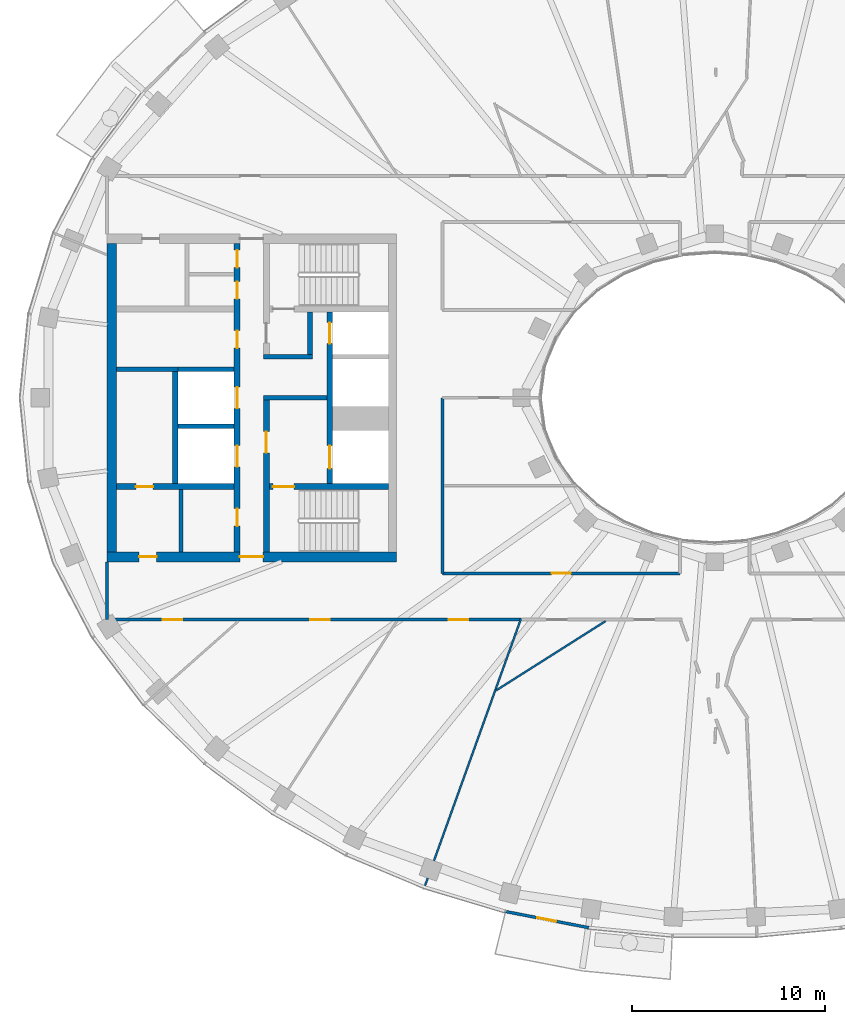
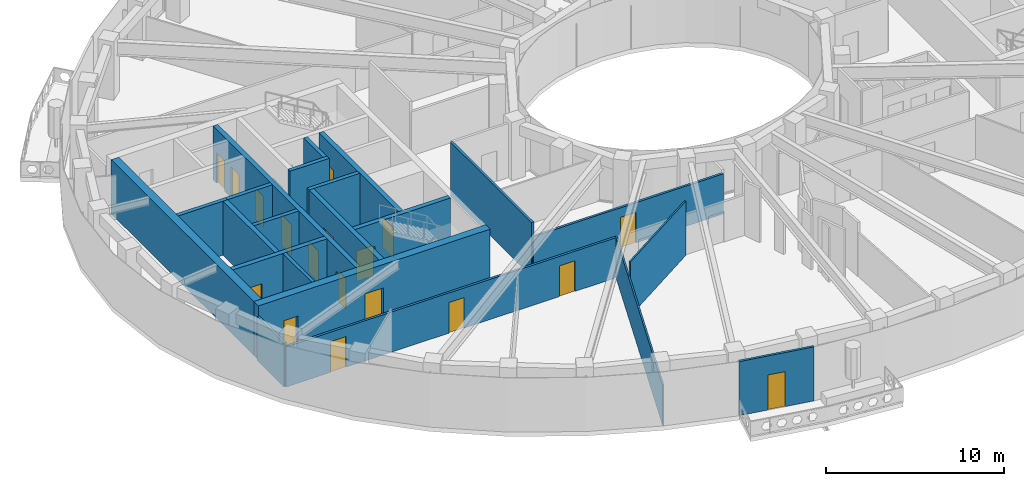
# One storey, part 3 of 16: 22 walls, 18 doors, 18 openings.
"""IFC4 building model written with IfcOpenShell, lengths in metres."""

import ifcopenshell
import ifcopenshell.guid

model = None  # the IFC model being written
_history = None  # IfcOwnerHistory: only IFC2X3 demands one
_inside = {}  # id of a spatial element -> (the spatial element, [elements in it])
_under = {}  # id of a project, library or spatial element -> (it, [spatial elements below it])
_declared = {}  # id of a project -> (the project, [libraries it declares])
_typed = {}  # id of a type object -> (the type object, [elements of that type])
_made_of = {}  # id of a material, layer set ... -> (it, [elements and type objects made of it])


def new_model(schema):
    """Start an empty IFC model of exactly this schema.

    Asked for "IFC4X3", IfcOpenShell would pick the latest addendum, in which some entities
    have other attributes; the version numbers below select the first issue.
    IFC2X3 requires an IfcOwnerHistory on every rooted entity: one is made here for all.
    """
    global model, _history
    if schema == "IFC4X3":
        model = ifcopenshell.file(schema_version=(4, 3, 0, 0))
    else:
        model = ifcopenshell.file(schema=schema)
    _inside.clear()
    _under.clear()
    _declared.clear()
    _typed.clear()
    _made_of.clear()
    _history = None
    if model.schema == "IFC2X3":
        org = make("IfcOrganization", Name="unknown")
        user = make(
            "IfcPersonAndOrganization",
            ThePerson=make("IfcPerson", FamilyName="unknown"),
            TheOrganization=org,
        )
        app = make(
            "IfcApplication",
            ApplicationDeveloper=org,
            Version="unknown",
            ApplicationFullName="unknown",
            ApplicationIdentifier="unknown",
        )
        _history = make(
            "IfcOwnerHistory",
            OwningUser=user,
            OwningApplication=app,
            ChangeAction="ADDED",
            CreationDate=0,
        )
    return model


def make(cls, **values):
    """One entity of the class cls with the attributes given. An attribute that is None is left unset."""
    return model.create_entity(
        cls, **{name: value for name, value in values.items() if value is not None}
    )


def rooted(cls, **values):
    """An entity with a GlobalId (a new one), such as an element, a storey or a relation."""
    return make(cls, GlobalId=ifcopenshell.guid.new(), OwnerHistory=_history, **values)


def si_unit(unit_type, name, prefix=None):
    """IfcSIUnit, for example si_unit("LENGTHUNIT", "METRE", prefix="MILLI")."""
    return make("IfcSIUnit", UnitType=unit_type, Prefix=prefix, Name=name)


def assignment(units):
    """IfcUnitAssignment: the units of a project."""
    return None if units is None else make("IfcUnitAssignment", Units=units)


def point(xyz):
    """IfcCartesianPoint."""
    return None if xyz is None else make("IfcCartesianPoint", Coordinates=xyz)


def direction(xyz):
    """IfcDirection."""
    return None if xyz is None else make("IfcDirection", DirectionRatios=xyz)


def frame(location, z_axis=None, x_axis=None):
    """IfcAxis2Placement3D, a coordinate frame: its origin and axes. An axis left out is left unset."""
    return make(
        "IfcAxis2Placement3D",
        Location=point(location),
        Axis=direction(z_axis),
        RefDirection=direction(x_axis),
    )


def frame_2d(location, x_axis=None):
    """IfcAxis2Placement2D, a coordinate frame in the plane: its origin and x axis."""
    return make(
        "IfcAxis2Placement2D", Location=point(location), RefDirection=direction(x_axis)
    )


def origin():
    """The frame at (0, 0, 0) with its axes left unset."""
    return frame((0.0, 0.0, 0.0))


def place(relative_to, where):
    """IfcLocalPlacement: puts the frame where relative to a parent placement (None: the world)."""
    return make(
        "IfcLocalPlacement", PlacementRelTo=relative_to, RelativePlacement=where
    )


def context(
    kind, dimensions, precision=None, world=None, true_north=None, identifier=None
):
    """IfcGeometricRepresentationContext, for example the 3D "Model" context."""
    return make(
        "IfcGeometricRepresentationContext",
        ContextIdentifier=identifier,
        ContextType=kind,
        CoordinateSpaceDimension=dimensions,
        Precision=precision,
        WorldCoordinateSystem=world,
        TrueNorth=true_north,
    )


def subcontext(parent, identifier, kind, view, scale=None):
    """IfcGeometricRepresentationSubContext, for example "Body" below "Model"."""
    return make(
        "IfcGeometricRepresentationSubContext",
        ContextIdentifier=identifier,
        ContextType=kind,
        ParentContext=parent,
        TargetScale=scale,
        TargetView=view,
    )


def project(units=None, contexts=None):
    """IfcProject with its units and contexts."""
    return rooted(
        "IfcProject",
        Name="project",
        RepresentationContexts=contexts,
        UnitsInContext=assignment(units),
    )


def spatial(cls, under=None, at=None, **own):
    """A site, building, storey or space (cls), placed at a placement, below another one or the project."""
    s = rooted(cls, ObjectPlacement=at, **own)
    if under is not None:
        _under.setdefault(under.id(), (under, []))[1].append(s)
    return s


def profile(cls, at=None, kind="AREA", **sizes):
    """A parametric profile (cls). Its sizes go by their IFC names, for example OverallWidth=200.0."""
    return make(cls, ProfileType=kind, Position=at, **sizes)


def rectangle(**sizes):
    """IfcRectangleProfileDef."""
    return profile("IfcRectangleProfileDef", **sizes)


def extrude(swept, where, along, depth):
    """IfcExtrudedAreaSolid: the profile swept, set in the frame where, extruded along a direction by depth."""
    return make(
        "IfcExtrudedAreaSolid",
        SweptArea=swept,
        Position=where,
        ExtrudedDirection=direction(along),
        Depth=depth,
    )


def shape(context_of_items, identifier, shape_type, items):
    """IfcShapeRepresentation: the items that make up one representation, for example the "Body"."""
    return make(
        "IfcShapeRepresentation",
        ContextOfItems=context_of_items,
        RepresentationIdentifier=identifier,
        RepresentationType=shape_type,
        Items=items,
    )


def material(Name=None, Category=None):
    """IfcMaterial."""
    return make("IfcMaterial", Name=Name, Category=Category)


def layer(
    of_material, thickness, ventilated=None, Name=None, Category=None, Priority=None
):
    """IfcMaterialLayer: one layer of a wall or slab, of a material (None: an air gap)."""
    return make(
        "IfcMaterialLayer",
        Material=of_material,
        LayerThickness=thickness,
        IsVentilated=ventilated,
        Name=Name,
        Category=Category,
        Priority=Priority,
    )


def layer_set(layers, Name=None):
    """IfcMaterialLayerSet."""
    return make("IfcMaterialLayerSet", MaterialLayers=layers, LayerSetName=Name)


def made_of(thing, what):
    """Note that an element or type object is made of a material, layer set ...; save() writes the relation."""
    if what is not None:
        _made_of.setdefault(what.id(), (what, []))[1].append(thing)
    return thing


def type_object(cls, material=None, **own):
    """A type object (cls), such as IfcWallType, which elements share."""
    return made_of(rooted(cls, **own), material)


def element(
    cls,
    number,
    at=None,
    inside=None,
    cuts=None,
    type_object=None,
    material=None,
    context=None,
    identifier="Body",
    shape_type=None,
    held_by="IfcProductDefinitionShape",
    body=None,
    shapes=None,
    **own,
):
    """One element of the class cls, such as IfcWall. Its Tag is "e" and its number.

    at: its placement. inside: the storey or other place that contains it. cuts: it is an
    opening in that element (IfcRelVoidsElement). A single representation is given by context,
    identifier, shape_type and body (its items); several are given by shapes. held_by: the class
    of the entity that holds the representations. save() writes the other relations.
    """
    e = rooted(cls, Tag="e%d" % number, ObjectPlacement=at, **own)
    if body is not None:
        shapes = [shape(context, identifier, shape_type, body)]
    if shapes is not None:
        e.Representation = make(held_by, Representations=shapes)
    if inside is not None:
        _inside.setdefault(inside.id(), (inside, []))[1].append(e)
    if cuts is not None:
        rooted(
            "IfcRelVoidsElement", RelatingBuildingElement=cuts, RelatedOpeningElement=e
        )
    if type_object is not None:
        _typed.setdefault(type_object.id(), (type_object, []))[1].append(e)
    return made_of(e, material)


def fill(opening, filler):
    """IfcRelFillsElement: the door or window that sits in an opening."""
    return rooted(
        "IfcRelFillsElement",
        RelatingOpeningElement=opening,
        RelatedBuildingElement=filler,
    )


def aggregate(whole, parts):
    """IfcRelAggregates: a whole, such as a stair, and the parts it consists of."""
    return rooted("IfcRelAggregates", RelatingObject=whole, RelatedObjects=parts)


def save(model, path):
    """Write the relations noted so far, then the file.

    IfcRelAggregates (storeys below a building ...), IfcRelContainedInSpatialStructure (elements
    in a storey), IfcRelDefinesByType, IfcRelAssociatesMaterial and IfcRelDeclares: one each for
    every whole, place, type object, material and project.
    """
    for whole, parts in _under.values():
        aggregate(whole, parts)
    for where, things in _inside.values():
        rooted(
            "IfcRelContainedInSpatialStructure",
            RelatedElements=things,
            RelatingStructure=where,
        )
    for kind, things in _typed.values():
        rooted("IfcRelDefinesByType", RelatedObjects=things, RelatingType=kind)
    for what, things in _made_of.values():
        rooted("IfcRelAssociatesMaterial", RelatedObjects=things, RelatingMaterial=what)
    for by, libraries in _declared.values():
        rooted("IfcRelDeclares", RelatingContext=by, RelatedDefinitions=libraries)
    model.write(path)


model = new_model("IFC4")

# Units and contexts
model_context = context("Model", 3, precision=1e-05, world=origin(), true_north=direction((0.0, 1.0)))
body_context = subcontext(model_context, "Body", "Model", "MODEL_VIEW")
ifc_project = project(units=[si_unit("LENGTHUNIT", "METRE"), si_unit("AREAUNIT", "SQUARE_METRE"), si_unit("VOLUMEUNIT", "CUBIC_METRE"), si_unit("PLANEANGLEUNIT", "RADIAN"), si_unit("MASSUNIT", "GRAM", prefix="KILO")], contexts=[model_context])

# Site, building, storey
site_placement = place(None, origin())
site = spatial("IfcSite", under=ifc_project, at=site_placement, CompositionType="ELEMENT")
building_placement = place(site_placement, origin())
building = spatial("IfcBuilding", under=site, at=building_placement, Name="Noorbagh Ring Tower", CompositionType="ELEMENT")
storey_placement = place(building_placement, frame((0.0, 0.0, 315.0)))
storey = spatial("IfcBuildingStorey", under=building, at=storey_placement, Name="L68", CompositionType="ELEMENT", Elevation=315.0)

# Walls
ifc_material_1 = material(Name="Gypsum board on steel studs", Category="steel")
ifc_layer_1 = layer(ifc_material_1, 0.199951171875)
ifc_layer_set_1 = layer_set([ifc_layer_1], Name="Gypsum board on steel studs")
wall_type_1 = type_object("IfcWallType", Name="CORE-PARTITION-200", PredefinedType="PARTITIONING", material=ifc_layer_set_1)
wall_1_placement = place(storey_placement, frame((-27.64990234375, -8.0, 0.0), z_axis=(0.0, 0.0, 1.0), x_axis=(0.0, 1.0, 0.0)))
element("IfcWall", 1, at=wall_1_placement, inside=storey, type_object=wall_type_1, Name="Core partition W", PredefinedType="PARTITIONING", context=body_context, shape_type="SweptSolid", body=[
    extrude(rectangle(XDim=3.25, YDim=0.199951171875, at=frame_2d((1.625, 0.0))), origin(), (0.0, 0.0, 1.0), 3.699951171875),
])
ifc_material_2 = material(Name="Concrete C50/60", Category="concrete")
ifc_layer_2 = layer(ifc_material_2, 0.25)
ifc_layer_set_2 = layer_set([ifc_layer_2], Name="Concrete C50/60")
wall_type_2 = type_object("IfcWallType", Name="CORE-WALL-250-C50-60-EI120", PredefinedType="SHEAR", material=ifc_layer_set_2)
wall_2_placement = place(storey_placement, frame((-27.800048828125, 1.47509765625, 0.0), z_axis=(0.0, 0.0, 1.0), x_axis=(-1.0, 0.0, 0.0)))
element("IfcWall", 2, at=wall_2_placement, inside=storey, type_object=wall_type_2, Name="Core wall W", PredefinedType="SHEAR", context=body_context, shape_type="SweptSolid", body=[
    extrude(rectangle(XDim=3.199951171875, YDim=0.25, at=frame_2d((1.60009765625, 0.0))), origin(), (0.0, 0.0, 1.0), 3.699951171875),
])
for number, where, z_axis, x_axis, name in (
    (3, (-24.89990234375, -1.47509765625, 0.0), (0.0, 0.0, 1.0), (-1.0, 0.0, 0.0), "Core wall W"),
    (4, (-24.89990234375, 1.47509765625, 0.0), (0.0, 0.0, 1.0), (-1.0, 0.0, 0.0), "Core wall W"),
):
    element("IfcWall", number, at=place(storey_placement, frame(where, z_axis=z_axis, x_axis=x_axis)), inside=storey, type_object=wall_type_2, Name=name, PredefinedType="SHEAR", context=body_context, shape_type="SweptSolid", body=[
        extrude(rectangle(XDim=2.900146484375, YDim=0.25, at=frame_2d((1.4501953125, 0.0))), origin(), (0.0, 0.0, 1.0), 3.699951171875),
    ])
ifc_material_3 = material(Name="Concrete C50/60", Category="concrete")
ifc_layer_3 = layer(ifc_material_3, 0.25)
ifc_layer_set_3 = layer_set([ifc_layer_3], Name="Concrete C50/60")
wall_type_3 = type_object("IfcWallType", Name="CORE-WALL-250-C50-60-EI240", PredefinedType="SHEAR", material=ifc_layer_set_3)
wall_3_placement = place(storey_placement, frame((-20.10009765625, 0.0, 0.0), z_axis=(0.0, 0.0, 1.0), x_axis=(-1.0, 0.0, 0.0)))
element("IfcWall", 5, at=wall_3_placement, inside=storey, type_object=wall_type_3, Name="Core wall W", PredefinedType="SHEAR", context=body_context, shape_type="SweptSolid", body=[
    extrude(rectangle(XDim=3.27978515625, YDim=0.25, at=frame_2d((1.639892578125, 0.0))), origin(), (0.0, 0.0, 1.0), 3.699951171875),
])
wall_4_placement = place(storey_placement, frame((-20.85009765625, 2.125, 0.0), z_axis=(0.0, 0.0, 1.0), x_axis=(-1.0, 0.0, 0.0)))
element("IfcWall", 6, at=wall_4_placement, inside=storey, type_object=wall_type_3, Name="Core wall W", PredefinedType="SHEAR", context=body_context, shape_type="SweptSolid", body=[
    extrude(rectangle(XDim=2.52978515625, YDim=0.25, at=frame_2d((1.264892578125, 0.0))), origin(), (0.0, 0.0, 1.0), 3.699951171875),
])
wall_5_placement = place(storey_placement, frame((-20.97509765625, 2.25, 0.0), z_axis=(0.0, 0.0, 1.0), x_axis=(0.0, 1.0, 0.0)))
element("IfcWall", 7, at=wall_5_placement, inside=storey, type_object=wall_type_3, Name="Core wall W", PredefinedType="SHEAR", context=body_context, shape_type="SweptSolid", body=[
    extrude(rectangle(XDim=2.199951171875, YDim=0.25, at=frame_2d((1.10009765625, 0.0))), origin(), (0.0, 0.0, 1.0), 3.699951171875),
])
ifc_material_4 = material(Name="Concrete C50/60", Category="concrete")
ifc_layer_4 = layer(ifc_material_4, 0.300048828125)
ifc_layer_set_4 = layer_set([ifc_layer_4], Name="Concrete C50/60")
wall_type_4 = type_object("IfcWallType", Name="CORE-WALL-300-C50-60-EI120", PredefinedType="SHEAR", material=ifc_layer_set_4)
wall_6_placement = place(storey_placement, frame((-27.949951171875, -4.449951171875, 0.0), z_axis=(0.0, 0.0, 1.0), x_axis=(0.0, 1.0, 0.0)))
element("IfcWall", 8, at=wall_6_placement, inside=storey, type_object=wall_type_4, Name="Core wall W", PredefinedType="SHEAR", context=body_context, shape_type="SweptSolid", body=[
    extrude(rectangle(XDim=5.800048828125, YDim=0.300048828125, at=frame_2d((2.89990234375, 0.0))), origin(), (0.0, 0.0, 1.0), 3.699951171875),
])

# Wall, openings, doors
wall_7_placement = place(storey_placement, frame((-19.949951171875, -4.449951171875, 0.0), z_axis=(0.0, 0.0, 1.0), x_axis=(0.0, 1.0, 0.0)))
wall_7 = element("IfcWall", 9, at=wall_7_placement, inside=storey, type_object=wall_type_4, Name="Core wall W", PredefinedType="SHEAR", context=body_context, shape_type="SweptSolid", body=[
    extrude(rectangle(XDim=8.89990234375, YDim=0.300048828125, at=frame_2d((4.449951171875, 0.0))), origin(), (0.0, 0.0, 1.0), 3.699951171875),
])
opening_1_placement = place(wall_7_placement, frame((0.77490234375, 0.0, 0.0)))
opening_1 = element("IfcOpeningElement", 10, at=opening_1_placement, cuts=wall_7, Name="Opening L68-CW01", PredefinedType="OPENING", context=body_context, shape_type="SweptSolid", body=[
    extrude(rectangle(XDim=1.199951171875, YDim=2.10009765625, at=frame_2d((0.60009765625, 1.050048828125))), frame((0.0, 0.16015625, 0.0), z_axis=(0.0, -1.0, 0.0), x_axis=(1.0, 0.0, 0.0)), (0.0, 0.0, 1.0), 0.320068359375),
])
opening_2_placement = place(wall_7_placement, frame((7.25, 0.0, 0.0)))
opening_2 = element("IfcOpeningElement", 11, at=opening_2_placement, cuts=wall_7, Name="Opening L68-CW02", PredefinedType="OPENING", context=body_context, shape_type="SweptSolid", body=[
    extrude(rectangle(XDim=1.10009765625, YDim=2.10009765625, at=frame_2d((0.550048828125, 1.050048828125))), frame((0.0, 0.16015625, 0.0), z_axis=(0.0, -1.0, 0.0), x_axis=(1.0, 0.0, 0.0)), (0.0, 0.0, 1.0), 0.320068359375),
])
ifc_material_5 = material(Name="Steel door leaf", Category="steel")
door_type_1 = type_object("IfcDoorType", Name="CORE-DOOR-LD", OperationType="DOUBLE_DOOR_SLIDING", PredefinedType="DOOR", material=ifc_material_5)
door_1_placement = place(opening_2_placement, origin())
door_1 = element("IfcDoor", 12, at=door_1_placement, inside=storey, type_object=door_type_1, Name="Landing door HR1 L68-CW02", OperationType="DOUBLE_DOOR_SLIDING", OverallHeight=2.10009765625, OverallWidth=1.10009765625, PredefinedType="DOOR", context=body_context, shape_type="SweptSolid", body=[
    extrude(rectangle(XDim=1.10009765625, YDim=2.10009765625, at=frame_2d((0.550048828125, 1.050048828125))), frame((0.0, 0.02490234375, 0.0), z_axis=(0.0, -1.0, 0.0), x_axis=(1.0, 0.0, 0.0)), (0.0, 0.0, 1.0), 0.050048828125),
])
fill(opening_2, door_1)
ifc_material_6 = material(Name="Steel door leaf", Category="steel")
door_type_2 = type_object("IfcDoorType", Name="CORE-DOOR-LDW", OperationType="DOUBLE_DOOR_SLIDING", PredefinedType="DOOR", material=ifc_material_6)
door_2_placement = place(opening_1_placement, origin())
door_2 = element("IfcDoor", 13, at=door_2_placement, inside=storey, type_object=door_type_2, Name="Landing door FF1 L68-CW01", OperationType="DOUBLE_DOOR_SLIDING", OverallHeight=2.10009765625, OverallWidth=1.199951171875, PredefinedType="DOOR", context=body_context, shape_type="SweptSolid", body=[
    extrude(rectangle(XDim=1.199951171875, YDim=2.10009765625, at=frame_2d((0.60009765625, 1.050048828125))), frame((0.0, 0.02490234375, 0.0), z_axis=(0.0, -1.0, 0.0), x_axis=(1.0, 0.0, 0.0)), (0.0, 0.0, 1.0), 0.050048828125),
])
fill(opening_1, door_2)

wall_8_placement = place(storey_placement, frame((-24.75, -8.0, 0.0), z_axis=(0.0, 0.0, 1.0), x_axis=(0.0, 1.0, 0.0)))
wall_8 = element("IfcWall", 14, at=wall_8_placement, inside=storey, type_object=wall_type_4, Name="Core wall W", PredefinedType="SHEAR", context=body_context, shape_type="SweptSolid", body=[
    extrude(rectangle(XDim=16.0, YDim=0.300048828125, at=frame_2d((8.0, 0.0))), origin(), (0.0, 0.0, 1.0), 3.699951171875),
])
opening_3_placement = place(wall_8_placement, frame((4.425048828125, 0.0, 0.0)))
opening_3 = element("IfcOpeningElement", 15, at=opening_3_placement, cuts=wall_8, Name="Opening L68-CW03", PredefinedType="OPENING", context=body_context, shape_type="SweptSolid", body=[
    extrude(rectangle(XDim=1.10009765625, YDim=2.10009765625, at=frame_2d((0.550048828125, 1.050048828125))), frame((0.0, 0.16015625, 0.0), z_axis=(0.0, -1.0, 0.0), x_axis=(1.0, 0.0, 0.0)), (0.0, 0.0, 1.0), 0.320068359375),
])
opening_4_placement = place(wall_8_placement, frame((7.449951171875, 0.0, 0.0)))
opening_4 = element("IfcOpeningElement", 16, at=opening_4_placement, cuts=wall_8, Name="Opening L68-CW04", PredefinedType="OPENING", context=body_context, shape_type="SweptSolid", body=[
    extrude(rectangle(XDim=1.10009765625, YDim=2.10009765625, at=frame_2d((0.550048828125, 1.050048828125))), frame((0.0, 0.16015625, 0.0), z_axis=(0.0, -1.0, 0.0), x_axis=(1.0, 0.0, 0.0)), (0.0, 0.0, 1.0), 0.320068359375),
])
opening_5_placement = place(wall_8_placement, frame((10.574951171875, 0.0, 0.0)))
opening_5 = element("IfcOpeningElement", 17, at=opening_5_placement, cuts=wall_8, Name="Opening L68-CW11", PredefinedType="OPENING", context=body_context, shape_type="SweptSolid", body=[
    extrude(rectangle(XDim=0.89990234375, YDim=2.10009765625, at=frame_2d((0.449951171875, 1.050048828125))), frame((0.0, 0.16015625, 0.0), z_axis=(0.0, -1.0, 0.0), x_axis=(1.0, 0.0, 0.0)), (0.0, 0.0, 1.0), 0.320068359375),
])
opening_6_placement = place(wall_8_placement, frame((13.125, 0.0, 0.0)))
opening_6 = element("IfcOpeningElement", 18, at=opening_6_placement, cuts=wall_8, Name="Opening L68-CW12", PredefinedType="OPENING", context=body_context, shape_type="SweptSolid", body=[
    extrude(rectangle(XDim=0.89990234375, YDim=2.10009765625, at=frame_2d((0.449951171875, 1.050048828125))), frame((0.0, 0.16015625, 0.0), z_axis=(0.0, -1.0, 0.0), x_axis=(1.0, 0.0, 0.0)), (0.0, 0.0, 1.0), 0.320068359375),
])
opening_7_placement = place(wall_8_placement, frame((14.75, 0.0, 0.0)))
opening_7 = element("IfcOpeningElement", 19, at=opening_7_placement, cuts=wall_8, Name="Opening L68-CW13", PredefinedType="OPENING", context=body_context, shape_type="SweptSolid", body=[
    extrude(rectangle(XDim=0.89990234375, YDim=2.10009765625, at=frame_2d((0.449951171875, 1.050048828125))), frame((0.0, 0.16015625, 0.0), z_axis=(0.0, -1.0, 0.0), x_axis=(1.0, 0.0, 0.0)), (0.0, 0.0, 1.0), 0.320068359375),
])
opening_8_placement = place(wall_8_placement, frame((1.35009765625, 0.0, 0.0)))
opening_8 = element("IfcOpeningElement", 20, at=opening_8_placement, cuts=wall_8, Name="Opening L68-CW15", PredefinedType="OPENING", context=body_context, shape_type="SweptSolid", body=[
    extrude(rectangle(XDim=0.89990234375, YDim=2.10009765625, at=frame_2d((0.449951171875, 1.050048828125))), frame((0.0, 0.16015625, 0.0), z_axis=(0.0, -1.0, 0.0), x_axis=(1.0, 0.0, 0.0)), (0.0, 0.0, 1.0), 0.320068359375),
])
ifc_material_7 = material(Name="Steel door leaf", Category="steel")
door_type_3 = type_object("IfcDoorType", Name="CORE-DOOR-DROOM", OperationType="SINGLE_SWING_LEFT", PredefinedType="DOOR", material=ifc_material_7)
door_3_placement = place(opening_5_placement, origin())
door_3 = element("IfcDoor", 21, at=door_3_placement, inside=storey, type_object=door_type_3, Name="Core room door L68-CW11", OperationType="SINGLE_SWING_RIGHT", OverallHeight=2.10009765625, OverallWidth=0.89990234375, PredefinedType="DOOR", context=body_context, shape_type="SweptSolid", body=[
    extrude(rectangle(XDim=0.89990234375, YDim=2.10009765625, at=frame_2d((0.449951171875, 1.050048828125))), frame((0.0, 0.02490234375, 0.0), z_axis=(0.0, -1.0, 0.0), x_axis=(1.0, 0.0, 0.0)), (0.0, 0.0, 1.0), 0.050048828125),
])
fill(opening_5, door_3)
door_4_placement = place(opening_6_placement, origin())
door_4 = element("IfcDoor", 22, at=door_4_placement, inside=storey, type_object=door_type_3, Name="Core room door L68-CW12", OperationType="SINGLE_SWING_LEFT", OverallHeight=2.10009765625, OverallWidth=0.89990234375, PredefinedType="DOOR", context=body_context, shape_type="SweptSolid", body=[
    extrude(rectangle(XDim=0.89990234375, YDim=2.10009765625, at=frame_2d((0.449951171875, 1.050048828125))), frame((0.0, 0.02490234375, 0.0), z_axis=(0.0, -1.0, 0.0), x_axis=(1.0, 0.0, 0.0)), (0.0, 0.0, 1.0), 0.050048828125),
])
fill(opening_6, door_4)
door_5_placement = place(opening_7_placement, origin())
door_5 = element("IfcDoor", 23, at=door_5_placement, inside=storey, type_object=door_type_3, Name="Core room door L68-CW13", OperationType="SINGLE_SWING_RIGHT", OverallHeight=2.10009765625, OverallWidth=0.89990234375, PredefinedType="DOOR", context=body_context, shape_type="SweptSolid", body=[
    extrude(rectangle(XDim=0.89990234375, YDim=2.10009765625, at=frame_2d((0.449951171875, 1.050048828125))), frame((0.0, 0.02490234375, 0.0), z_axis=(0.0, -1.0, 0.0), x_axis=(1.0, 0.0, 0.0)), (0.0, 0.0, 1.0), 0.050048828125),
])
fill(opening_7, door_5)
door_6_placement = place(opening_8_placement, origin())
door_6 = element("IfcDoor", 24, at=door_6_placement, inside=storey, type_object=door_type_3, Name="Core room door L68-CW15", OperationType="SINGLE_SWING_LEFT", OverallHeight=2.10009765625, OverallWidth=0.89990234375, PredefinedType="DOOR", context=body_context, shape_type="SweptSolid", body=[
    extrude(rectangle(XDim=0.89990234375, YDim=2.10009765625, at=frame_2d((0.449951171875, 1.050048828125))), frame((0.0, 0.02490234375, 0.0), z_axis=(0.0, -1.0, 0.0), x_axis=(1.0, 0.0, 0.0)), (0.0, 0.0, 1.0), 0.050048828125),
])
fill(opening_8, door_6)
door_7_placement = place(opening_3_placement, origin())
door_7 = element("IfcDoor", 25, at=door_7_placement, inside=storey, type_object=door_type_1, Name="Landing door HR5 L68-CW03", OperationType="DOUBLE_DOOR_SLIDING", OverallHeight=2.10009765625, OverallWidth=1.10009765625, PredefinedType="DOOR", context=body_context, shape_type="SweptSolid", body=[
    extrude(rectangle(XDim=1.10009765625, YDim=2.10009765625, at=frame_2d((0.550048828125, 1.050048828125))), frame((0.0, 0.02490234375, 0.0), z_axis=(0.0, -1.0, 0.0), x_axis=(1.0, 0.0, 0.0)), (0.0, 0.0, 1.0), 0.050048828125),
])
fill(opening_3, door_7)
door_8_placement = place(opening_4_placement, origin())
door_8 = element("IfcDoor", 26, at=door_8_placement, inside=storey, type_object=door_type_1, Name="Landing door HR6 L68-CW04", OperationType="DOUBLE_DOOR_SLIDING", OverallHeight=2.10009765625, OverallWidth=1.10009765625, PredefinedType="DOOR", context=body_context, shape_type="SweptSolid", body=[
    extrude(rectangle(XDim=1.10009765625, YDim=2.10009765625, at=frame_2d((0.550048828125, 1.050048828125))), frame((0.0, 0.02490234375, 0.0), z_axis=(0.0, -1.0, 0.0), x_axis=(1.0, 0.0, 0.0)), (0.0, 0.0, 1.0), 0.050048828125),
])
fill(opening_4, door_8)

# Wall, opening, door
ifc_material_8 = material(Name="Concrete C50/60", Category="concrete")
ifc_layer_5 = layer(ifc_material_8, 0.300048828125)
ifc_layer_set_5 = layer_set([ifc_layer_5], Name="Concrete C50/60")
wall_type_5 = type_object("IfcWallType", Name="CORE-WALL-300-C50-60-EI240", PredefinedType="SHEAR", material=ifc_layer_set_5)
wall_9_placement = place(storey_placement, frame((-24.89990234375, -4.60009765625, 0.0), z_axis=(0.0, 0.0, 1.0), x_axis=(-1.0, 0.0, 0.0)))
wall_9 = element("IfcWall", 27, at=wall_9_placement, inside=storey, type_object=wall_type_5, Name="Core wall W", PredefinedType="SHEAR", context=body_context, shape_type="SweptSolid", body=[
    extrude(rectangle(XDim=6.10009765625, YDim=0.300048828125, at=frame_2d((3.050048828125, 0.0))), origin(), (0.0, 0.0, 1.0), 3.699951171875),
])
opening_9_placement = place(wall_9_placement, frame((4.199951171875, 0.0, 0.0)))
opening_9 = element("IfcOpeningElement", 28, at=opening_9_placement, cuts=wall_9, Name="Opening L68-CW17", PredefinedType="OPENING", context=body_context, shape_type="SweptSolid", body=[
    extrude(rectangle(XDim=0.89990234375, YDim=2.10009765625, at=frame_2d((0.449951171875, 1.050048828125))), frame((0.0, 0.16015625, 0.0), z_axis=(0.0, -1.0, 0.0), x_axis=(1.0, 0.0, 0.0)), (0.0, 0.0, 1.0), 0.320068359375),
])
door_9_placement = place(opening_9_placement, origin())
door_9 = element("IfcDoor", 29, at=door_9_placement, inside=storey, type_object=door_type_3, Name="Core room door L68-CW17", OperationType="SINGLE_SWING_RIGHT", OverallHeight=2.10009765625, OverallWidth=0.89990234375, PredefinedType="DOOR", context=body_context, shape_type="SweptSolid", body=[
    extrude(rectangle(XDim=0.89990234375, YDim=2.10009765625, at=frame_2d((0.449951171875, 1.050048828125))), frame((0.0, 0.02490234375, 0.0), z_axis=(0.0, -1.0, 0.0), x_axis=(1.0, 0.0, 0.0)), (0.0, 0.0, 1.0), 0.050048828125),
])
fill(opening_9, door_9)

wall_10_placement = place(storey_placement, frame((-23.22998046875, -8.0, 0.0), z_axis=(0.0, 0.0, 1.0), x_axis=(0.0, 1.0, 0.0)))
wall_10 = element("IfcWall", 30, at=wall_10_placement, inside=storey, type_object=wall_type_5, Name="Core wall W", PredefinedType="SHEAR", context=body_context, shape_type="SweptSolid", body=[
    extrude(rectangle(XDim=7.875, YDim=0.300048828125, at=frame_2d((3.9375, 0.0))), origin(), (0.0, 0.0, 1.0), 3.699951171875),
])
opening_10_placement = place(wall_10_placement, frame((5.14990234375, 0.0, 0.0)))
opening_10 = element("IfcOpeningElement", 31, at=opening_10_placement, cuts=wall_10, Name="Opening L68-CW07", PredefinedType="OPENING", context=body_context, shape_type="SweptSolid", body=[
    extrude(rectangle(XDim=1.10009765625, YDim=2.10009765625, at=frame_2d((0.550048828125, 1.050048828125))), frame((0.0, 0.16015625, 0.0), z_axis=(0.0, -1.0, 0.0), x_axis=(1.0, 0.0, 0.0)), (0.0, 0.0, 1.0), 0.320068359375),
])
ifc_material_9 = material(Name="Steel door leaf", Category="steel")
door_type_4 = type_object("IfcDoorType", Name="CORE-DOOR-DFF", OperationType="SINGLE_SWING_LEFT", PredefinedType="DOOR", material=ifc_material_9)
door_10_placement = place(opening_10_placement, origin())
door_10 = element("IfcDoor", 32, at=door_10_placement, inside=storey, type_object=door_type_4, Name="Firefighting lobby door L68-CW07", OperationType="SINGLE_SWING_LEFT", OverallHeight=2.10009765625, OverallWidth=1.10009765625, PredefinedType="DOOR", context=body_context, shape_type="SweptSolid", body=[
    extrude(rectangle(XDim=1.10009765625, YDim=2.10009765625, at=frame_2d((0.550048828125, 1.050048828125))), frame((0.0, 0.02490234375, 0.0), z_axis=(0.0, -1.0, 0.0), x_axis=(1.0, 0.0, 0.0)), (0.0, 0.0, 1.0), 0.050048828125),
])
fill(opening_10, door_10)

wall_11_placement = place(storey_placement, frame((-16.89990234375, -4.60009765625, 0.0), z_axis=(0.0, 0.0, 1.0), x_axis=(-1.0, 0.0, 0.0)))
wall_11 = element("IfcWall", 33, at=wall_11_placement, inside=storey, type_object=wall_type_5, Name="Core wall W", PredefinedType="SHEAR", context=body_context, shape_type="SweptSolid", body=[
    extrude(rectangle(XDim=6.18017578125, YDim=0.300048828125, at=frame_2d((3.090087890625, 0.0))), origin(), (0.0, 0.0, 1.0), 3.699951171875),
])
opening_11_placement = place(wall_11_placement, frame((4.89990234375, 0.0, 0.0)))
opening_11 = element("IfcOpeningElement", 34, at=opening_11_placement, cuts=wall_11, Name="Opening L68-CW06", PredefinedType="OPENING", context=body_context, shape_type="SweptSolid", body=[
    extrude(rectangle(XDim=1.10009765625, YDim=2.10009765625, at=frame_2d((0.550048828125, 1.050048828125))), frame((0.0, 0.16015625, 0.0), z_axis=(0.0, -1.0, 0.0), x_axis=(1.0, 0.0, 0.0)), (0.0, 0.0, 1.0), 0.320068359375),
])
ifc_material_10 = material(Name="Steel door leaf", Category="steel")
door_type_5 = type_object("IfcDoorType", Name="CORE-DOOR-DSTAIR", OperationType="SINGLE_SWING_LEFT", PredefinedType="DOOR", material=ifc_material_10)
door_11_placement = place(opening_11_placement, origin())
door_11 = element("IfcDoor", 35, at=door_11_placement, inside=storey, type_object=door_type_5, Name="Stair door ST2 L68-CW06", OperationType="SINGLE_SWING_LEFT", OverallHeight=2.10009765625, OverallWidth=1.10009765625, PredefinedType="DOOR", context=body_context, shape_type="SweptSolid", body=[
    extrude(rectangle(XDim=1.10009765625, YDim=2.10009765625, at=frame_2d((0.550048828125, 1.050048828125))), frame((0.0, 0.02490234375, 0.0), z_axis=(0.0, -1.0, 0.0), x_axis=(1.0, 0.0, 0.0)), (0.0, 0.0, 1.0), 0.050048828125),
])
fill(opening_11, door_11)

# Wall, openings, doors
ifc_material_11 = material(Name="Concrete C50/60", Category="concrete")
ifc_layer_6 = layer(ifc_material_11, 0.5)
ifc_layer_set_6 = layer_set([ifc_layer_6], Name="Concrete C50/60")
wall_type_6 = type_object("IfcWallType", Name="CORE-WALL-500-C50-60-EI240", PredefinedType="SHEAR", material=ifc_layer_set_6)
wall_12_placement = place(storey_placement, frame((-16.5, -8.25, 0.0), z_axis=(0.0, 0.0, 1.0), x_axis=(-1.0, 0.0, 0.0)))
wall_12 = element("IfcWall", 36, at=wall_12_placement, inside=storey, type_object=wall_type_6, Name="Core wall W", PredefinedType="SHEAR", context=body_context, shape_type="SweptSolid", body=[
    extrude(rectangle(XDim=15.0, YDim=0.5, at=frame_2d((7.5, 0.0))), origin(), (0.0, 0.0, 1.0), 3.699951171875),
])
opening_12_placement = place(wall_12_placement, frame((6.89990234375, 0.0, 0.0)))
opening_12 = element("IfcOpeningElement", 37, at=opening_12_placement, cuts=wall_12, Name="Opening L68-CW10", PredefinedType="OPENING", context=body_context, shape_type="SweptSolid", body=[
    extrude(rectangle(XDim=1.199951171875, YDim=2.10009765625, at=frame_2d((0.60009765625, 1.050048828125))), frame((0.0, 0.260009765625, 0.0), z_axis=(0.0, -1.0, 0.0), x_axis=(1.0, 0.0, 0.0)), (0.0, 0.0, 1.0), 0.52001953125),
])
opening_13_placement = place(wall_12_placement, frame((12.425048828125, 0.0, 0.0)))
opening_13 = element("IfcOpeningElement", 38, at=opening_13_placement, cuts=wall_12, Name="Opening L68-CW16", PredefinedType="OPENING", context=body_context, shape_type="SweptSolid", body=[
    extrude(rectangle(XDim=0.89990234375, YDim=2.10009765625, at=frame_2d((0.449951171875, 1.050048828125))), frame((0.0, 0.260009765625, 0.0), z_axis=(0.0, -1.0, 0.0), x_axis=(1.0, 0.0, 0.0)), (0.0, 0.0, 1.0), 0.52001953125),
])
door_12_placement = place(opening_13_placement, origin())
door_12 = element("IfcDoor", 39, at=door_12_placement, inside=storey, type_object=door_type_3, Name="Core room door L68-CW16", OperationType="SINGLE_SWING_LEFT", OverallHeight=2.10009765625, OverallWidth=0.89990234375, PredefinedType="DOOR", context=body_context, shape_type="SweptSolid", body=[
    extrude(rectangle(XDim=0.89990234375, YDim=2.10009765625, at=frame_2d((0.449951171875, 1.050048828125))), frame((0.0, 0.02490234375, 0.0), z_axis=(0.0, -1.0, 0.0), x_axis=(1.0, 0.0, 0.0)), (0.0, 0.0, 1.0), 0.050048828125),
])
fill(opening_13, door_12)
ifc_material_12 = material(Name="Steel door leaf", Category="steel")
door_type_6 = type_object("IfcDoorType", Name="CORE-DOOR-PORT", OperationType="DOUBLE_DOOR_DOUBLE_SWING", PredefinedType="DOOR", material=ifc_material_12)
door_13_placement = place(opening_12_placement, origin())
door_13 = element("IfcDoor", 40, at=door_13_placement, inside=storey, type_object=door_type_6, Name="Core entrance door L68-CW10", OperationType="DOUBLE_DOOR_DOUBLE_SWING", OverallHeight=2.10009765625, OverallWidth=1.199951171875, PredefinedType="DOOR", context=body_context, shape_type="SweptSolid", body=[
    extrude(rectangle(XDim=1.199951171875, YDim=2.10009765625, at=frame_2d((0.60009765625, 1.050048828125))), frame((0.0, 0.02490234375, 0.0), z_axis=(0.0, -1.0, 0.0), x_axis=(1.0, 0.0, 0.0)), (0.0, 0.0, 1.0), 0.050048828125),
])
fill(opening_12, door_13)

# Walls
wall_13_placement = place(storey_placement, frame((-31.25, -8.0, 0.0), z_axis=(0.0, 0.0, 1.0), x_axis=(0.0, 1.0, 0.0)))
element("IfcWall", 41, at=wall_13_placement, inside=storey, type_object=wall_type_6, Name="Core wall W", PredefinedType="SHEAR", context=body_context, shape_type="SweptSolid", body=[
    extrude(rectangle(XDim=16.0, YDim=0.5, at=frame_2d((8.0, 0.0))), origin(), (0.0, 0.0, 1.0), 3.699951171875),
])
ifc_material_13 = material(Name="Gypsum board on steel studs", Category="steel")
ifc_layer_7 = layer(ifc_material_13, 0.14990234375)
ifc_layer_set_7 = layer_set([ifc_layer_7], Name="Gypsum board on steel studs")
wall_type_7 = type_object("IfcWallType", Name="CORRIDOR PARTITION 150 EI 30", PredefinedType="PARTITIONING", material=ifc_layer_set_7)
wall_14_placement = place(storey_placement, frame((-31.5, -11.5, 0.0), z_axis=(0.0, 0.0, 1.0), x_axis=(0.0, 1.0, 0.0)))
element("IfcWall", 42, at=wall_14_placement, inside=storey, type_object=wall_type_7, Name="L68/wall/P02", PredefinedType="PARTITIONING", context=body_context, shape_type="SweptSolid", body=[
    extrude(rectangle(XDim=3.0, YDim=0.14990234375, at=frame_2d((1.5, 0.0))), origin(), (0.0, 0.0, 1.0), 3.0),
])

# Wall, openings, doors
wall_15_placement = place(storey_placement, frame((-31.5, -11.5, 0.0), z_axis=(0.0, 0.0, 1.0), x_axis=(1.0, 0.0, 0.0)))
wall_15 = element("IfcWall", 43, at=wall_15_placement, inside=storey, type_object=wall_type_7, Name="L68/wall/P03", PredefinedType="PARTITIONING", context=body_context, shape_type="SweptSolid", body=[
    extrude(rectangle(XDim=21.431884765625, YDim=0.14990234375, at=frame_2d((10.7158203125, 0.0))), origin(), (0.0, 0.0, 1.0), 2.75),
])
opening_14_placement = place(wall_15_placement, frame((2.89990234375, 0.0, 0.0)))
opening_14 = element("IfcOpeningElement", 44, at=opening_14_placement, cuts=wall_15, Name="Opening D1", PredefinedType="OPENING", context=body_context, shape_type="SweptSolid", body=[
    extrude(rectangle(XDim=1.0, YDim=2.10009765625, at=frame_2d((0.5, 1.050048828125))), frame((0.0, 0.0849609375, 0.0), z_axis=(0.0, -1.0, 0.0), x_axis=(1.0, 0.0, 0.0)), (0.0, 0.0, 1.0), 0.169921875),
])
opening_15_placement = place(wall_15_placement, frame((10.5439453125, 0.0, 0.0)))
opening_15 = element("IfcOpeningElement", 45, at=opening_15_placement, cuts=wall_15, Name="Opening D1", PredefinedType="OPENING", context=body_context, shape_type="SweptSolid", body=[
    extrude(rectangle(XDim=1.0, YDim=2.10009765625, at=frame_2d((0.5, 1.050048828125))), frame((0.0, 0.0849609375, 0.0), z_axis=(0.0, -1.0, 0.0), x_axis=(1.0, 0.0, 0.0)), (0.0, 0.0, 1.0), 0.169921875),
])
opening_16_placement = place(wall_15_placement, frame((17.718017578125, 0.0, 0.0)))
opening_16 = element("IfcOpeningElement", 46, at=opening_16_placement, cuts=wall_15, Name="Opening D1", PredefinedType="OPENING", context=body_context, shape_type="SweptSolid", body=[
    extrude(rectangle(XDim=1.0, YDim=2.10009765625, at=frame_2d((0.5, 1.050048828125))), frame((0.0, 0.0849609375, 0.0), z_axis=(0.0, -1.0, 0.0), x_axis=(1.0, 0.0, 0.0)), (0.0, 0.0, 1.0), 0.169921875),
])
ifc_material_14 = material(Name="Timber, painted", Category="wood")
door_type_7 = type_object("IfcDoorType", Name="DOOR 1000 X 2100 FD30", OperationType="SINGLE_SWING_LEFT", PredefinedType="DOOR", material=ifc_material_14)
door_14_placement = place(opening_14_placement, origin())
door_14 = element("IfcDoor", 47, at=door_14_placement, inside=storey, type_object=door_type_7, Name="L68-D06", OperationType="SINGLE_SWING_RIGHT", OverallHeight=2.10009765625, OverallWidth=1.0, PredefinedType="DOOR", context=body_context, shape_type="SweptSolid", body=[
    extrude(rectangle(XDim=1.0, YDim=2.10009765625, at=frame_2d((0.5, 1.050048828125))), frame((0.0, 0.02490234375, 0.0), z_axis=(0.0, -1.0, 0.0), x_axis=(1.0, 0.0, 0.0)), (0.0, 0.0, 1.0), 0.050048828125),
])
fill(opening_14, door_14)
door_15_placement = place(opening_15_placement, origin())
door_15 = element("IfcDoor", 48, at=door_15_placement, inside=storey, type_object=door_type_7, Name="L68-D08", OperationType="SINGLE_SWING_RIGHT", OverallHeight=2.10009765625, OverallWidth=1.0, PredefinedType="DOOR", context=body_context, shape_type="SweptSolid", body=[
    extrude(rectangle(XDim=1.0, YDim=2.10009765625, at=frame_2d((0.5, 1.050048828125))), frame((0.0, 0.02490234375, 0.0), z_axis=(0.0, -1.0, 0.0), x_axis=(1.0, 0.0, 0.0)), (0.0, 0.0, 1.0), 0.050048828125),
])
fill(opening_15, door_15)
door_16_placement = place(opening_16_placement, origin())
door_16 = element("IfcDoor", 49, at=door_16_placement, inside=storey, type_object=door_type_7, Name="L68-D09", OperationType="SINGLE_SWING_LEFT", OverallHeight=2.10009765625, OverallWidth=1.0, PredefinedType="DOOR", context=body_context, shape_type="SweptSolid", body=[
    extrude(rectangle(XDim=1.0, YDim=2.10009765625, at=frame_2d((0.5, 1.050048828125))), frame((0.0, 0.02490234375, 0.0), z_axis=(0.0, -1.0, 0.0), x_axis=(1.0, 0.0, 0.0)), (0.0, 0.0, 1.0), 0.050048828125),
])
fill(opening_16, door_16)

# Wall
wall_16_placement = place(storey_placement, frame((-14.10009765625, -9.10009765625, 0.0), z_axis=(0.0, 0.0, 1.0), x_axis=(0.0, 1.0, 0.0)))
element("IfcWall", 50, at=wall_16_placement, inside=storey, type_object=wall_type_7, Name="L68/wall/P10", PredefinedType="PARTITIONING", context=body_context, shape_type="SweptSolid", body=[
    extrude(rectangle(XDim=9.10009765625, YDim=0.14990234375, at=frame_2d((4.550048828125, 0.0))), origin(), (0.0, 0.0, 1.0), 3.699951171875),
])

# Wall, opening, door
wall_17_placement = place(storey_placement, frame((-14.10009765625, -9.10009765625, 0.0), z_axis=(0.0, 0.0, 1.0), x_axis=(1.0, 0.0, 0.0)))
wall_17 = element("IfcWall", 51, at=wall_17_placement, inside=storey, type_object=wall_type_7, Name="L68/wall/P11", PredefinedType="PARTITIONING", context=body_context, shape_type="SweptSolid", body=[
    extrude(rectangle(XDim=12.300048828125, YDim=0.14990234375, at=frame_2d((6.14990234375, 0.0))), origin(), (0.0, 0.0, 1.0), 2.75),
])
opening_17_placement = place(wall_17_placement, frame((5.64990234375, 0.0, 0.0)))
opening_17 = element("IfcOpeningElement", 52, at=opening_17_placement, cuts=wall_17, Name="Opening D1", PredefinedType="OPENING", context=body_context, shape_type="SweptSolid", body=[
    extrude(rectangle(XDim=1.0, YDim=2.10009765625, at=frame_2d((0.5, 1.050048828125))), frame((0.0, 0.0849609375, 0.0), z_axis=(0.0, -1.0, 0.0), x_axis=(1.0, 0.0, 0.0)), (0.0, 0.0, 1.0), 0.169921875),
])
door_17_placement = place(opening_17_placement, origin())
door_17 = element("IfcDoor", 53, at=door_17_placement, inside=storey, type_object=door_type_7, Name="L68-D25", OperationType="SINGLE_SWING_LEFT", OverallHeight=2.10009765625, OverallWidth=1.0, PredefinedType="DOOR", context=body_context, shape_type="SweptSolid", body=[
    extrude(rectangle(XDim=1.0, YDim=2.10009765625, at=frame_2d((0.5, 1.050048828125))), frame((0.0, 0.02490234375, 0.0), z_axis=(0.0, -1.0, 0.0), x_axis=(1.0, 0.0, 0.0)), (0.0, 0.0, 1.0), 0.050048828125),
])
fill(opening_17, door_17)

ifc_material_15 = material(Name="Insulated aluminium clad panel", Category="aluminium")
ifc_layer_8 = layer(ifc_material_15, 0.14990234375)
ifc_layer_set_8 = layer_set([ifc_layer_8], Name="Insulated aluminium clad panel")
wall_type_8 = type_object("IfcWallType", Name="ENV-WALL-DOOR", PredefinedType="STANDARD", material=ifc_layer_set_8)
wall_18_placement = place(storey_placement, frame((-10.87060546875, -26.616943359375, 0.0), z_axis=(0.0, 0.0, 1.0), x_axis=(0.981631174778, -0.190788460615, 0.0)))
wall_18 = element("IfcWall", 54, at=wall_18_placement, inside=storey, type_object=wall_type_8, Name="Balcony door wall chord 33", PredefinedType="STANDARD", context=body_context, shape_type="SweptSolid", body=[
    extrude(rectangle(XDim=4.42626953125, YDim=0.14990234375, at=frame_2d((2.213134765625, 0.0))), origin(), (0.0, 0.0, 1.0), 3.699951171875),
])
opening_18_placement = place(wall_18_placement, frame((1.713134765625, 0.0, 0.0)))
opening_18 = element("IfcOpeningElement", 55, at=opening_18_placement, cuts=wall_18, Name="Opening D-BL", PredefinedType="OPENING", context=body_context, shape_type="SweptSolid", body=[
    extrude(rectangle(XDim=1.0, YDim=2.39990234375, at=frame_2d((0.5, 1.199951171875))), frame((0.0, 0.0849609375, 0.0), z_axis=(0.0, -1.0, 0.0), x_axis=(1.0, 0.0, 0.0)), (0.0, 0.0, 1.0), 0.169921875),
])
ifc_material_16 = material(Name="Aluminium and glass", Category="aluminium")
door_type_8 = type_object("IfcDoorType", Name="ENV-DOOR-BALCONY", OperationType="SINGLE_SWING_LEFT", PredefinedType="DOOR", material=ifc_material_16)
door_18_placement = place(opening_18_placement, origin())
door_18 = element("IfcDoor", 56, at=door_18_placement, inside=storey, type_object=door_type_8, Name="Balcony door chord 33", OperationType="SINGLE_SWING_LEFT", OverallHeight=2.39990234375, OverallWidth=1.0, PredefinedType="DOOR", context=body_context, shape_type="SweptSolid", body=[
    extrude(rectangle(XDim=1.0, YDim=2.39990234375, at=frame_2d((0.5, 1.199951171875))), frame((0.0, 0.02490234375, 0.0), z_axis=(0.0, -1.0, 0.0), x_axis=(1.0, 0.0, 0.0)), (0.0, 0.0, 1.0), 0.050048828125),
])
fill(opening_18, door_18)

# Walls
ifc_material_17 = material(Name="Gypsum board on steel studs", Category="steel")
ifc_layer_9 = layer(ifc_material_17, 0.10009765625)
ifc_layer_set_9 = layer_set([ifc_layer_9], Name="Gypsum board on steel studs")
wall_type_9 = type_object("IfcWallType", Name="PARTITION 100 GYPSUM", PredefinedType="PARTITIONING", material=ifc_layer_set_9)
wall_19_placement = place(storey_placement, frame((-15.047119140625, -25.383056640625, 0.0), z_axis=(0.0, 0.0, 1.0), x_axis=(0.338338153279, 0.941024597997, 0.0)))
element("IfcWall", 57, at=wall_19_placement, inside=storey, type_object=wall_type_9, Name="L68/wall/P09", PredefinedType="PARTITIONING", context=body_context, shape_type="SweptSolid", body=[
    extrude(rectangle(XDim=14.82861328125, YDim=0.10009765625, at=frame_2d((7.414306640625, 0.0))), origin(), (0.0, 0.0, 1.0), 2.75),
])
wall_20_placement = place(storey_placement, frame((-11.319091796875, -15.160888671875, 0.0), z_axis=(0.0, 0.0, 1.0), x_axis=(0.844865171483, 0.534979291203, 0.0)))
element("IfcWall", 58, at=wall_20_placement, inside=storey, type_object=wall_type_9, Name="L68/wall/P17", PredefinedType="PARTITIONING", context=body_context, shape_type="SweptSolid", body=[
    extrude(rectangle(XDim=6.702880859375, YDim=0.10009765625, at=frame_2d((3.3515625, 0.0))), origin(), (0.0, 0.0, 1.0), 3.699951171875),
])

save(model, "model.ifc")
